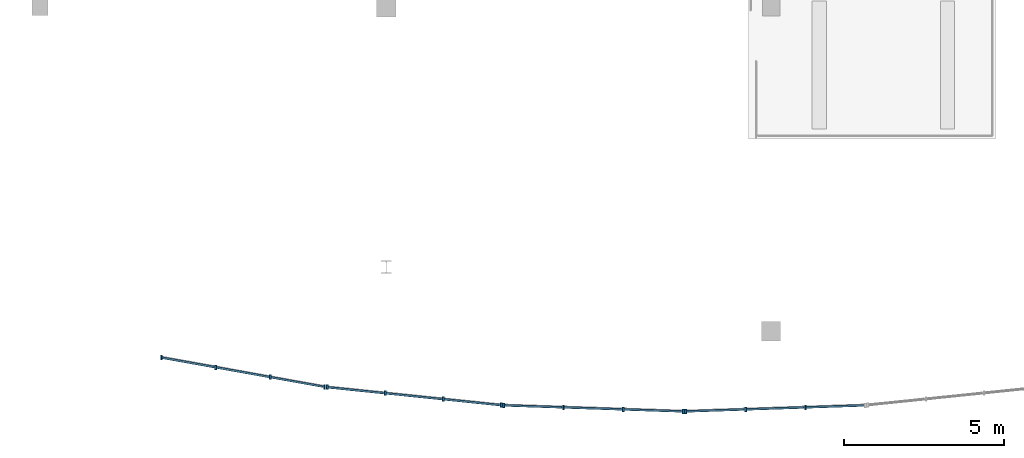
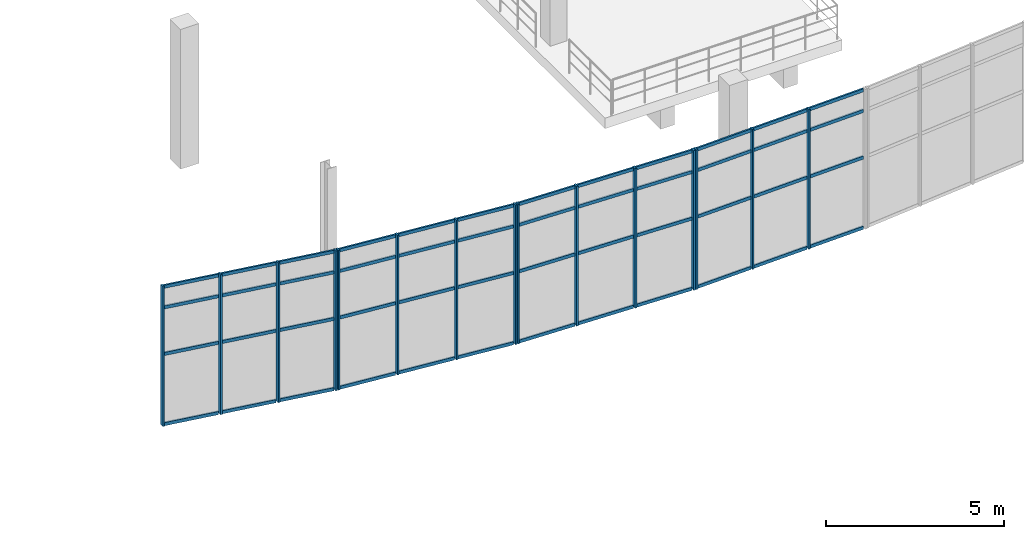
# One storey, part 18 of 52: 63 members, 4 elements without a shape of their own.
"""IFC4 building model written with IfcOpenShell, lengths in metres."""

from ifc_helpers import new_model, si_unit, direction, frame, origin, origin_2d, place, context, subcontext, project, spatial, rectangle, extrude, material, material_profile, profile_set, type_object, element, aggregate, save


model = new_model("IFC4")

# Units and contexts
model_context = context("Model", 3, precision=1e-05, world=origin(), true_north=direction((0.0, 1.0)))
body_context = subcontext(model_context, "Body", "Model", "MODEL_VIEW")
ifc_project = project(units=[si_unit("LENGTHUNIT", "METRE"), si_unit("AREAUNIT", "SQUARE_METRE"), si_unit("VOLUMEUNIT", "CUBIC_METRE"), si_unit("PLANEANGLEUNIT", "RADIAN"), si_unit("MASSUNIT", "GRAM", prefix="KILO"), si_unit("THERMODYNAMICTEMPERATUREUNIT", "KELVIN"), si_unit("POWERUNIT", "WATT")], contexts=[model_context])

# Site, building, storey
site_placement = place(None, origin())
site = spatial("IfcSite", under=ifc_project, at=site_placement, CompositionType="ELEMENT")
building_placement = place(site_placement, origin())
building = spatial("IfcBuilding", under=site, at=building_placement, Name="Solmara Park Aquatics Centre", CompositionType="ELEMENT")
storey_placement = place(building_placement, frame((0.0, 0.0, 9.60009765625)))
storey = spatial("IfcBuildingStorey", under=building, at=storey_placement, Name="L02", CompositionType="ELEMENT", Elevation=9.60009765625)

# Curtain wall, members
ifc_material_1 = material(Name="Anodised Aluminium Curtain Wall Framing", Category="aluminium")
curtain_wall_type = type_object("IfcCurtainWallType", Name="ARC-CW-SYS03", PredefinedType="USERDEFINED", material=ifc_material_1)
curtain_wall_1_placement = place(storey_placement, origin())
curtain_wall_1 = element("IfcCurtainWall", 1, at=curtain_wall_1_placement, inside=storey, type_object=curtain_wall_type, Name="Curtain Wall CW-039", ObjectType="CURTAIN WALL", PredefinedType="USERDEFINED")
ifc_material_2 = material(Name="Anodised Aluminium Alloy 6063-T6", Category="aluminium")
ifc_material_profile_1 = material_profile(ifc_material_2, rectangle(XDim=0.054931640625, YDim=0.139892578125, at=origin_2d()), Name="ALU MULLION 55x140")
ifc_profile_set_1 = profile_set([ifc_material_profile_1], Name="Anodised Aluminium Alloy 6063-T6")
member_type_1 = type_object("IfcMemberType", Name="ARC-CWM-55x140", PredefinedType="MULLION", material=ifc_profile_set_1)
member_1_placement = place(storey_placement, frame((112.989501953125, 1.680908203125, 0.0), z_axis=(0.0, 0.0, 1.0), x_axis=(1.0, 0.0, 0.0)))
member_1 = element("IfcMember", 2, at=member_1_placement, type_object=member_type_1, Name="CW-039 mullion 1", PredefinedType="MULLION", context=body_context, shape_type="SweptSolid", body=[
    extrude(rectangle(XDim=0.054931640625, YDim=0.139892578125, at=origin_2d()), origin(), (0.0, 0.0, 1.0), 4.7998046875),
])
member_2_placement = place(storey_placement, frame((114.68505859375, 1.376220703125, 0.0), z_axis=(0.0, 0.0, 1.0), x_axis=(1.0, 0.0, 0.0)))
member_2 = element("IfcMember", 3, at=member_2_placement, type_object=member_type_1, Name="CW-039 mullion 2", PredefinedType="MULLION", context=body_context, shape_type="SweptSolid", body=[
    extrude(rectangle(XDim=0.054931640625, YDim=0.139892578125, at=origin_2d()), origin(), (0.0, 0.0, 1.0), 4.7998046875),
])
member_3_placement = place(storey_placement, frame((116.380859375, 1.07177734375, 0.0), z_axis=(0.0, 0.0, 1.0), x_axis=(1.0, 0.0, 0.0)))
member_3 = element("IfcMember", 4, at=member_3_placement, type_object=member_type_1, Name="CW-039 mullion 3", PredefinedType="MULLION", context=body_context, shape_type="SweptSolid", body=[
    extrude(rectangle(XDim=0.054931640625, YDim=0.139892578125, at=origin_2d()), origin(), (0.0, 0.0, 1.0), 4.7998046875),
])
member_4_placement = place(storey_placement, frame((118.076416015625, 0.76708984375, 0.0), z_axis=(0.0, 0.0, 1.0), x_axis=(1.0, 0.0, 0.0)))
member_4 = element("IfcMember", 5, at=member_4_placement, type_object=member_type_1, Name="CW-039 mullion 4", PredefinedType="MULLION", context=body_context, shape_type="SweptSolid", body=[
    extrude(rectangle(XDim=0.054931640625, YDim=0.139892578125, at=origin_2d()), origin(), (0.0, 0.0, 1.0), 4.7998046875),
])

curtain_wall_2_placement = place(storey_placement, origin())
curtain_wall_2 = element("IfcCurtainWall", 6, at=curtain_wall_2_placement, inside=storey, type_object=curtain_wall_type, Name="Curtain Wall CW-042", ObjectType="CURTAIN WALL", PredefinedType="USERDEFINED")
member_5_placement = place(storey_placement, frame((118.15576171875, 0.755859375, 0.0), z_axis=(0.0, 0.0, 1.0), x_axis=(1.0, 0.0, 0.0)))
member_5 = element("IfcMember", 7, at=member_5_placement, type_object=member_type_1, Name="CW-042 mullion 1", PredefinedType="MULLION", context=body_context, shape_type="SweptSolid", body=[
    extrude(rectangle(XDim=0.054931640625, YDim=0.139892578125, at=origin_2d()), origin(), (0.0, 0.0, 1.0), 4.7998046875),
])
member_6_placement = place(storey_placement, frame((119.96435546875, 0.569091796875, 0.0), z_axis=(0.0, 0.0, 1.0), x_axis=(1.0, 0.0, 0.0)))
member_6 = element("IfcMember", 8, at=member_6_placement, type_object=member_type_1, Name="CW-042 mullion 2", PredefinedType="MULLION", context=body_context, shape_type="SweptSolid", body=[
    extrude(rectangle(XDim=0.054931640625, YDim=0.139892578125, at=origin_2d()), origin(), (0.0, 0.0, 1.0), 4.7998046875),
])
member_7_placement = place(storey_placement, frame((121.773193359375, 0.38232421875, 0.0), z_axis=(0.0, 0.0, 1.0), x_axis=(1.0, 0.0, 0.0)))
member_7 = element("IfcMember", 9, at=member_7_placement, type_object=member_type_1, Name="CW-042 mullion 3", PredefinedType="MULLION", context=body_context, shape_type="SweptSolid", body=[
    extrude(rectangle(XDim=0.054931640625, YDim=0.139892578125, at=origin_2d()), origin(), (0.0, 0.0, 1.0), 4.7998046875),
])
member_8_placement = place(storey_placement, frame((123.581787109375, 0.195556640625, 0.0), z_axis=(0.0, 0.0, 1.0), x_axis=(1.0, 0.0, 0.0)))
member_8 = element("IfcMember", 10, at=member_8_placement, type_object=member_type_1, Name="CW-042 mullion 4", PredefinedType="MULLION", context=body_context, shape_type="SweptSolid", body=[
    extrude(rectangle(XDim=0.054931640625, YDim=0.139892578125, at=origin_2d()), origin(), (0.0, 0.0, 1.0), 4.7998046875),
])

curtain_wall_3_placement = place(storey_placement, origin())
curtain_wall_3 = element("IfcCurtainWall", 11, at=curtain_wall_3_placement, inside=storey, type_object=curtain_wall_type, Name="Curtain Wall CW-045", ObjectType="CURTAIN WALL", PredefinedType="USERDEFINED")
member_9_placement = place(storey_placement, frame((123.66162109375, 0.190185546875, 0.0), z_axis=(0.0, 0.0, 1.0), x_axis=(1.0, 0.0, 0.0)))
member_9 = element("IfcMember", 12, at=member_9_placement, type_object=member_type_1, Name="CW-045 mullion 1", PredefinedType="MULLION", context=body_context, shape_type="SweptSolid", body=[
    extrude(rectangle(XDim=0.054931640625, YDim=0.139892578125, at=origin_2d()), origin(), (0.0, 0.0, 1.0), 4.7998046875),
])
member_10_placement = place(storey_placement, frame((125.52783203125, 0.127197265625, 0.0), z_axis=(0.0, 0.0, 1.0), x_axis=(1.0, 0.0, 0.0)))
member_10 = element("IfcMember", 13, at=member_10_placement, type_object=member_type_1, Name="CW-045 mullion 2", PredefinedType="MULLION", context=body_context, shape_type="SweptSolid", body=[
    extrude(rectangle(XDim=0.054931640625, YDim=0.139892578125, at=origin_2d()), origin(), (0.0, 0.0, 1.0), 4.7998046875),
])
member_11_placement = place(storey_placement, frame((127.393798828125, 0.064208984375, 0.0), z_axis=(0.0, 0.0, 1.0), x_axis=(1.0, 0.0, 0.0)))
member_11 = element("IfcMember", 14, at=member_11_placement, type_object=member_type_1, Name="CW-045 mullion 3", PredefinedType="MULLION", context=body_context, shape_type="SweptSolid", body=[
    extrude(rectangle(XDim=0.054931640625, YDim=0.139892578125, at=origin_2d()), origin(), (0.0, 0.0, 1.0), 4.7998046875),
])
member_12_placement = place(storey_placement, frame((129.260009765625, 0.001220703125, 0.0), z_axis=(0.0, 0.0, 1.0), x_axis=(1.0, 0.0, 0.0)))
member_12 = element("IfcMember", 15, at=member_12_placement, type_object=member_type_1, Name="CW-045 mullion 4", PredefinedType="MULLION", context=body_context, shape_type="SweptSolid", body=[
    extrude(rectangle(XDim=0.054931640625, YDim=0.139892578125, at=origin_2d()), origin(), (0.0, 0.0, 1.0), 4.7998046875),
])

curtain_wall_4_placement = place(storey_placement, origin())
curtain_wall_4 = element("IfcCurtainWall", 16, at=curtain_wall_4_placement, inside=storey, type_object=curtain_wall_type, Name="Curtain Wall CW-048", ObjectType="CURTAIN WALL", PredefinedType="USERDEFINED")
member_13_placement = place(storey_placement, frame((129.340087890625, 0.001220703125, 0.0), z_axis=(0.0, 0.0, 1.0), x_axis=(1.0, 0.0, 0.0)))
member_13 = element("IfcMember", 17, at=member_13_placement, type_object=member_type_1, Name="CW-048 mullion 1", PredefinedType="MULLION", context=body_context, shape_type="SweptSolid", body=[
    extrude(rectangle(XDim=0.054931640625, YDim=0.139892578125, at=origin_2d()), origin(), (0.0, 0.0, 1.0), 4.7998046875),
])
member_14_placement = place(storey_placement, frame((131.2060546875, 0.064208984375, 0.0), z_axis=(0.0, 0.0, 1.0), x_axis=(1.0, 0.0, 0.0)))
member_14 = element("IfcMember", 18, at=member_14_placement, type_object=member_type_1, Name="CW-048 mullion 2", PredefinedType="MULLION", context=body_context, shape_type="SweptSolid", body=[
    extrude(rectangle(XDim=0.054931640625, YDim=0.139892578125, at=origin_2d()), origin(), (0.0, 0.0, 1.0), 4.7998046875),
])
member_15_placement = place(storey_placement, frame((133.072265625, 0.127197265625, 0.0), z_axis=(0.0, 0.0, 1.0), x_axis=(1.0, 0.0, 0.0)))
member_15 = element("IfcMember", 19, at=member_15_placement, type_object=member_type_1, Name="CW-048 mullion 3", PredefinedType="MULLION", context=body_context, shape_type="SweptSolid", body=[
    extrude(rectangle(XDim=0.054931640625, YDim=0.139892578125, at=origin_2d()), origin(), (0.0, 0.0, 1.0), 4.7998046875),
])

# Member
ifc_material_profile_2 = material_profile(ifc_material_2, rectangle(XDim=0.054931640625, YDim=0.110107421875, at=origin_2d()), Name="ALU TRANSOM 55x110")
ifc_profile_set_2 = profile_set([ifc_material_profile_2], Name="Anodised Aluminium Alloy 6063-T6")
member_type_2 = type_object("IfcMemberType", Name="ARC-CWT-55x110", PredefinedType="USERDEFINED", material=ifc_profile_set_2)
member_16_placement = place(storey_placement, frame((113.009033203125, 1.677490234375, 0.039794921875), z_axis=(0.984238723522, -0.176844946549, 0.0), x_axis=(0.176844946549, 0.984238723522, 0.0)))
member_16 = element("IfcMember", 20, at=member_16_placement, type_object=member_type_2, Name="CW-039 transom 1", ObjectType="TRANSOM", PredefinedType="USERDEFINED", context=body_context, shape_type="SweptSolid", body=[
    extrude(rectangle(XDim=0.054931640625, YDim=0.110107421875, at=origin_2d()), origin(), (0.0, 0.0, 1.0), 1.642822265625),
])

member_17_placement = place(storey_placement, frame((113.009033203125, 1.677490234375, 2.449951171875), z_axis=(0.984238723522, -0.176844946549, 0.0), x_axis=(0.176844946549, 0.984238723522, 0.0)))
member_17 = element("IfcMember", 21, at=member_17_placement, type_object=member_type_2, Name="CW-039 transom 2", ObjectType="TRANSOM", PredefinedType="USERDEFINED", context=body_context, shape_type="SweptSolid", body=[
    extrude(rectangle(XDim=0.054931640625, YDim=0.110107421875, at=origin_2d()), origin(), (0.0, 0.0, 1.0), 1.642822265625),
])

member_18_placement = place(storey_placement, frame((113.009033203125, 1.677490234375, 4.0498046875), z_axis=(0.984238723522, -0.176844946549, 0.0), x_axis=(0.176844946549, 0.984238723522, 0.0)))
member_18 = element("IfcMember", 22, at=member_18_placement, type_object=member_type_2, Name="CW-039 transom 3", ObjectType="TRANSOM", PredefinedType="USERDEFINED", context=body_context, shape_type="SweptSolid", body=[
    extrude(rectangle(XDim=0.054931640625, YDim=0.110107421875, at=origin_2d()), origin(), (0.0, 0.0, 1.0), 1.642822265625),
])

member_19_placement = place(storey_placement, frame((113.009033203125, 1.677490234375, 4.760009765625), z_axis=(0.984238723522, -0.176844946549, 0.0), x_axis=(0.176844946549, 0.984238723522, 0.0)))
member_19 = element("IfcMember", 23, at=member_19_placement, type_object=member_type_2, Name="CW-039 transom 4", ObjectType="TRANSOM", PredefinedType="USERDEFINED", context=body_context, shape_type="SweptSolid", body=[
    extrude(rectangle(XDim=0.054931640625, YDim=0.110107421875, at=origin_2d()), origin(), (0.0, 0.0, 1.0), 1.642822265625),
])

member_20_placement = place(storey_placement, frame((114.704833984375, 1.372802734375, 0.039794921875), z_axis=(0.984238723522, -0.176844946549, 0.0), x_axis=(0.176844946549, 0.984238723522, 0.0)))
member_20 = element("IfcMember", 24, at=member_20_placement, type_object=member_type_2, Name="CW-039 transom 5", ObjectType="TRANSOM", PredefinedType="USERDEFINED", context=body_context, shape_type="SweptSolid", body=[
    extrude(rectangle(XDim=0.054931640625, YDim=0.110107421875, at=origin_2d()), origin(), (0.0, 0.0, 1.0), 1.642822265625),
])

member_21_placement = place(storey_placement, frame((114.704833984375, 1.372802734375, 2.449951171875), z_axis=(0.984238723522, -0.176844946549, 0.0), x_axis=(0.176844946549, 0.984238723522, 0.0)))
member_21 = element("IfcMember", 25, at=member_21_placement, type_object=member_type_2, Name="CW-039 transom 6", ObjectType="TRANSOM", PredefinedType="USERDEFINED", context=body_context, shape_type="SweptSolid", body=[
    extrude(rectangle(XDim=0.054931640625, YDim=0.110107421875, at=origin_2d()), origin(), (0.0, 0.0, 1.0), 1.642822265625),
])

member_22_placement = place(storey_placement, frame((114.704833984375, 1.372802734375, 4.0498046875), z_axis=(0.984238723522, -0.176844946549, 0.0), x_axis=(0.176844946549, 0.984238723522, 0.0)))
member_22 = element("IfcMember", 26, at=member_22_placement, type_object=member_type_2, Name="CW-039 transom 7", ObjectType="TRANSOM", PredefinedType="USERDEFINED", context=body_context, shape_type="SweptSolid", body=[
    extrude(rectangle(XDim=0.054931640625, YDim=0.110107421875, at=origin_2d()), origin(), (0.0, 0.0, 1.0), 1.642822265625),
])

member_23_placement = place(storey_placement, frame((114.704833984375, 1.372802734375, 4.760009765625), z_axis=(0.984238723522, -0.176844946549, 0.0), x_axis=(0.176844946549, 0.984238723522, 0.0)))
member_23 = element("IfcMember", 27, at=member_23_placement, type_object=member_type_2, Name="CW-039 transom 8", ObjectType="TRANSOM", PredefinedType="USERDEFINED", context=body_context, shape_type="SweptSolid", body=[
    extrude(rectangle(XDim=0.054931640625, YDim=0.110107421875, at=origin_2d()), origin(), (0.0, 0.0, 1.0), 1.642822265625),
])

member_24_placement = place(storey_placement, frame((116.400390625, 1.068115234375, 0.039794921875), z_axis=(0.984243370127, -0.176819083703, 0.0), x_axis=(0.176819083703, 0.984243370127, 0.0)))
member_24 = element("IfcMember", 28, at=member_24_placement, type_object=member_type_2, Name="CW-039 transom 9", ObjectType="TRANSOM", PredefinedType="USERDEFINED", context=body_context, shape_type="SweptSolid", body=[
    extrude(rectangle(XDim=0.054931640625, YDim=0.110107421875, at=origin_2d()), origin(), (0.0, 0.0, 1.0), 1.64306640625),
])

member_25_placement = place(storey_placement, frame((116.400390625, 1.068115234375, 2.449951171875), z_axis=(0.984243370127, -0.176819083703, 0.0), x_axis=(0.176819083703, 0.984243370127, 0.0)))
member_25 = element("IfcMember", 29, at=member_25_placement, type_object=member_type_2, Name="CW-039 transom 10", ObjectType="TRANSOM", PredefinedType="USERDEFINED", context=body_context, shape_type="SweptSolid", body=[
    extrude(rectangle(XDim=0.054931640625, YDim=0.110107421875, at=origin_2d()), origin(), (0.0, 0.0, 1.0), 1.64306640625),
])

member_26_placement = place(storey_placement, frame((116.400390625, 1.068115234375, 4.0498046875), z_axis=(0.984243370127, -0.176819083703, 0.0), x_axis=(0.176819083703, 0.984243370127, 0.0)))
member_26 = element("IfcMember", 30, at=member_26_placement, type_object=member_type_2, Name="CW-039 transom 11", ObjectType="TRANSOM", PredefinedType="USERDEFINED", context=body_context, shape_type="SweptSolid", body=[
    extrude(rectangle(XDim=0.054931640625, YDim=0.110107421875, at=origin_2d()), origin(), (0.0, 0.0, 1.0), 1.64306640625),
])

member_27_placement = place(storey_placement, frame((116.400390625, 1.068115234375, 4.760009765625), z_axis=(0.984243370127, -0.176819083703, 0.0), x_axis=(0.176819083703, 0.984243370127, 0.0)))
member_27 = element("IfcMember", 31, at=member_27_placement, type_object=member_type_2, Name="CW-039 transom 12", ObjectType="TRANSOM", PredefinedType="USERDEFINED", context=body_context, shape_type="SweptSolid", body=[
    extrude(rectangle(XDim=0.054931640625, YDim=0.110107421875, at=origin_2d()), origin(), (0.0, 0.0, 1.0), 1.64306640625),
])

aggregate(curtain_wall_1, [member_1, member_2, member_3, member_4, member_16, member_17, member_18, member_19, member_20, member_21, member_22, member_23, member_24, member_25, member_26, member_27])

member_28_placement = place(storey_placement, frame((118.175537109375, 0.753662109375, 0.039794921875), z_axis=(0.994716548008, -0.102659578793, 0.0), x_axis=(0.102659578793, 0.994716548008, 0.0)))
member_28 = element("IfcMember", 32, at=member_28_placement, type_object=member_type_2, Name="CW-042 transom 1", ObjectType="TRANSOM", PredefinedType="USERDEFINED", context=body_context, shape_type="SweptSolid", body=[
    extrude(rectangle(XDim=0.054931640625, YDim=0.110107421875, at=origin_2d()), origin(), (0.0, 0.0, 1.0), 1.738525390625),
])

member_29_placement = place(storey_placement, frame((118.175537109375, 0.753662109375, 2.449951171875), z_axis=(0.994716548008, -0.102659578793, 0.0), x_axis=(0.102659578793, 0.994716548008, 0.0)))
member_29 = element("IfcMember", 33, at=member_29_placement, type_object=member_type_2, Name="CW-042 transom 2", ObjectType="TRANSOM", PredefinedType="USERDEFINED", context=body_context, shape_type="SweptSolid", body=[
    extrude(rectangle(XDim=0.054931640625, YDim=0.110107421875, at=origin_2d()), origin(), (0.0, 0.0, 1.0), 1.738525390625),
])

member_30_placement = place(storey_placement, frame((118.175537109375, 0.753662109375, 4.0498046875), z_axis=(0.994716548008, -0.102659578793, 0.0), x_axis=(0.102659578793, 0.994716548008, 0.0)))
member_30 = element("IfcMember", 34, at=member_30_placement, type_object=member_type_2, Name="CW-042 transom 3", ObjectType="TRANSOM", PredefinedType="USERDEFINED", context=body_context, shape_type="SweptSolid", body=[
    extrude(rectangle(XDim=0.054931640625, YDim=0.110107421875, at=origin_2d()), origin(), (0.0, 0.0, 1.0), 1.738525390625),
])

member_31_placement = place(storey_placement, frame((118.175537109375, 0.753662109375, 4.760009765625), z_axis=(0.994716548008, -0.102659578793, 0.0), x_axis=(0.102659578793, 0.994716548008, 0.0)))
member_31 = element("IfcMember", 35, at=member_31_placement, type_object=member_type_2, Name="CW-042 transom 4", ObjectType="TRANSOM", PredefinedType="USERDEFINED", context=body_context, shape_type="SweptSolid", body=[
    extrude(rectangle(XDim=0.054931640625, YDim=0.110107421875, at=origin_2d()), origin(), (0.0, 0.0, 1.0), 1.738525390625),
])

member_32_placement = place(storey_placement, frame((119.984375, 0.56689453125, 0.039794921875), z_axis=(0.994715067632, -0.102673921836, 0.0), x_axis=(0.102673921836, 0.994715067632, 0.0)))
member_32 = element("IfcMember", 36, at=member_32_placement, type_object=member_type_2, Name="CW-042 transom 5", ObjectType="TRANSOM", PredefinedType="USERDEFINED", context=body_context, shape_type="SweptSolid", body=[
    extrude(rectangle(XDim=0.054931640625, YDim=0.110107421875, at=origin_2d()), origin(), (0.0, 0.0, 1.0), 1.73828125),
])

member_33_placement = place(storey_placement, frame((119.984375, 0.56689453125, 2.449951171875), z_axis=(0.994715067632, -0.102673921836, 0.0), x_axis=(0.102673921836, 0.994715067632, 0.0)))
member_33 = element("IfcMember", 37, at=member_33_placement, type_object=member_type_2, Name="CW-042 transom 6", ObjectType="TRANSOM", PredefinedType="USERDEFINED", context=body_context, shape_type="SweptSolid", body=[
    extrude(rectangle(XDim=0.054931640625, YDim=0.110107421875, at=origin_2d()), origin(), (0.0, 0.0, 1.0), 1.73828125),
])

member_34_placement = place(storey_placement, frame((119.984375, 0.56689453125, 4.0498046875), z_axis=(0.994715067632, -0.102673921836, 0.0), x_axis=(0.102673921836, 0.994715067632, 0.0)))
member_34 = element("IfcMember", 38, at=member_34_placement, type_object=member_type_2, Name="CW-042 transom 7", ObjectType="TRANSOM", PredefinedType="USERDEFINED", context=body_context, shape_type="SweptSolid", body=[
    extrude(rectangle(XDim=0.054931640625, YDim=0.110107421875, at=origin_2d()), origin(), (0.0, 0.0, 1.0), 1.73828125),
])

member_35_placement = place(storey_placement, frame((119.984375, 0.56689453125, 4.760009765625), z_axis=(0.994715067632, -0.102673921836, 0.0), x_axis=(0.102673921836, 0.994715067632, 0.0)))
member_35 = element("IfcMember", 39, at=member_35_placement, type_object=member_type_2, Name="CW-042 transom 8", ObjectType="TRANSOM", PredefinedType="USERDEFINED", context=body_context, shape_type="SweptSolid", body=[
    extrude(rectangle(XDim=0.054931640625, YDim=0.110107421875, at=origin_2d()), origin(), (0.0, 0.0, 1.0), 1.73828125),
])

member_36_placement = place(storey_placement, frame((121.793212890625, 0.380126953125, 0.039794921875), z_axis=(0.994715067632, -0.102673921836, 0.0), x_axis=(0.102673921836, 0.994715067632, 0.0)))
member_36 = element("IfcMember", 40, at=member_36_placement, type_object=member_type_2, Name="CW-042 transom 9", ObjectType="TRANSOM", PredefinedType="USERDEFINED", context=body_context, shape_type="SweptSolid", body=[
    extrude(rectangle(XDim=0.054931640625, YDim=0.110107421875, at=origin_2d()), origin(), (0.0, 0.0, 1.0), 1.73828125),
])

member_37_placement = place(storey_placement, frame((121.793212890625, 0.380126953125, 2.449951171875), z_axis=(0.994715067632, -0.102673921836, 0.0), x_axis=(0.102673921836, 0.994715067632, 0.0)))
member_37 = element("IfcMember", 41, at=member_37_placement, type_object=member_type_2, Name="CW-042 transom 10", ObjectType="TRANSOM", PredefinedType="USERDEFINED", context=body_context, shape_type="SweptSolid", body=[
    extrude(rectangle(XDim=0.054931640625, YDim=0.110107421875, at=origin_2d()), origin(), (0.0, 0.0, 1.0), 1.73828125),
])

member_38_placement = place(storey_placement, frame((121.793212890625, 0.380126953125, 4.0498046875), z_axis=(0.994715067632, -0.102673921836, 0.0), x_axis=(0.102673921836, 0.994715067632, 0.0)))
member_38 = element("IfcMember", 42, at=member_38_placement, type_object=member_type_2, Name="CW-042 transom 11", ObjectType="TRANSOM", PredefinedType="USERDEFINED", context=body_context, shape_type="SweptSolid", body=[
    extrude(rectangle(XDim=0.054931640625, YDim=0.110107421875, at=origin_2d()), origin(), (0.0, 0.0, 1.0), 1.73828125),
])

member_39_placement = place(storey_placement, frame((121.793212890625, 0.380126953125, 4.760009765625), z_axis=(0.994715067632, -0.102673921836, 0.0), x_axis=(0.102673921836, 0.994715067632, 0.0)))
member_39 = element("IfcMember", 43, at=member_39_placement, type_object=member_type_2, Name="CW-042 transom 12", ObjectType="TRANSOM", PredefinedType="USERDEFINED", context=body_context, shape_type="SweptSolid", body=[
    extrude(rectangle(XDim=0.054931640625, YDim=0.110107421875, at=origin_2d()), origin(), (0.0, 0.0, 1.0), 1.73828125),
])

aggregate(curtain_wall_2, [member_5, member_6, member_7, member_8, member_28, member_29, member_30, member_31, member_32, member_33, member_34, member_35, member_36, member_37, member_38, member_39])

member_40_placement = place(storey_placement, frame((123.681640625, 0.189453125, 0.039794921875), z_axis=(0.999430563319, -0.033742393267, 0.0), x_axis=(0.033742393267, 0.999430563319, 0.0)))
member_40 = element("IfcMember", 44, at=member_40_placement, type_object=member_type_2, Name="CW-045 transom 1", ObjectType="TRANSOM", PredefinedType="USERDEFINED", context=body_context, shape_type="SweptSolid", body=[
    extrude(rectangle(XDim=0.054931640625, YDim=0.110107421875, at=origin_2d()), origin(), (0.0, 0.0, 1.0), 1.787109375),
])

member_41_placement = place(storey_placement, frame((123.681640625, 0.189453125, 2.449951171875), z_axis=(0.999430563319, -0.033742393267, 0.0), x_axis=(0.033742393267, 0.999430563319, 0.0)))
member_41 = element("IfcMember", 45, at=member_41_placement, type_object=member_type_2, Name="CW-045 transom 2", ObjectType="TRANSOM", PredefinedType="USERDEFINED", context=body_context, shape_type="SweptSolid", body=[
    extrude(rectangle(XDim=0.054931640625, YDim=0.110107421875, at=origin_2d()), origin(), (0.0, 0.0, 1.0), 1.787109375),
])

member_42_placement = place(storey_placement, frame((123.681640625, 0.189453125, 4.0498046875), z_axis=(0.999430563319, -0.033742393267, 0.0), x_axis=(0.033742393267, 0.999430563319, 0.0)))
member_42 = element("IfcMember", 46, at=member_42_placement, type_object=member_type_2, Name="CW-045 transom 3", ObjectType="TRANSOM", PredefinedType="USERDEFINED", context=body_context, shape_type="SweptSolid", body=[
    extrude(rectangle(XDim=0.054931640625, YDim=0.110107421875, at=origin_2d()), origin(), (0.0, 0.0, 1.0), 1.787109375),
])

member_43_placement = place(storey_placement, frame((123.681640625, 0.189453125, 4.760009765625), z_axis=(0.999430563319, -0.033742393267, 0.0), x_axis=(0.033742393267, 0.999430563319, 0.0)))
member_43 = element("IfcMember", 47, at=member_43_placement, type_object=member_type_2, Name="CW-045 transom 4", ObjectType="TRANSOM", PredefinedType="USERDEFINED", context=body_context, shape_type="SweptSolid", body=[
    extrude(rectangle(XDim=0.054931640625, YDim=0.110107421875, at=origin_2d()), origin(), (0.0, 0.0, 1.0), 1.787109375),
])

member_44_placement = place(storey_placement, frame((125.5478515625, 0.12646484375, 0.039794921875), z_axis=(0.999435160911, -0.033605938981, 0.0), x_axis=(0.033605938981, 0.999435160911, 0.0)))
member_44 = element("IfcMember", 48, at=member_44_placement, type_object=member_type_2, Name="CW-045 transom 5", ObjectType="TRANSOM", PredefinedType="USERDEFINED", context=body_context, shape_type="SweptSolid", body=[
    extrude(rectangle(XDim=0.054931640625, YDim=0.110107421875, at=origin_2d()), origin(), (0.0, 0.0, 1.0), 1.787109375),
])

member_45_placement = place(storey_placement, frame((125.5478515625, 0.12646484375, 2.449951171875), z_axis=(0.999435160911, -0.033605938981, 0.0), x_axis=(0.033605938981, 0.999435160911, 0.0)))
member_45 = element("IfcMember", 49, at=member_45_placement, type_object=member_type_2, Name="CW-045 transom 6", ObjectType="TRANSOM", PredefinedType="USERDEFINED", context=body_context, shape_type="SweptSolid", body=[
    extrude(rectangle(XDim=0.054931640625, YDim=0.110107421875, at=origin_2d()), origin(), (0.0, 0.0, 1.0), 1.787109375),
])

member_46_placement = place(storey_placement, frame((125.5478515625, 0.12646484375, 4.0498046875), z_axis=(0.999435160911, -0.033605938981, 0.0), x_axis=(0.033605938981, 0.999435160911, 0.0)))
member_46 = element("IfcMember", 50, at=member_46_placement, type_object=member_type_2, Name="CW-045 transom 7", ObjectType="TRANSOM", PredefinedType="USERDEFINED", context=body_context, shape_type="SweptSolid", body=[
    extrude(rectangle(XDim=0.054931640625, YDim=0.110107421875, at=origin_2d()), origin(), (0.0, 0.0, 1.0), 1.787109375),
])

member_47_placement = place(storey_placement, frame((125.5478515625, 0.12646484375, 4.760009765625), z_axis=(0.999435160911, -0.033605938981, 0.0), x_axis=(0.033605938981, 0.999435160911, 0.0)))
member_47 = element("IfcMember", 51, at=member_47_placement, type_object=member_type_2, Name="CW-045 transom 8", ObjectType="TRANSOM", PredefinedType="USERDEFINED", context=body_context, shape_type="SweptSolid", body=[
    extrude(rectangle(XDim=0.054931640625, YDim=0.110107421875, at=origin_2d()), origin(), (0.0, 0.0, 1.0), 1.787109375),
])

member_48_placement = place(storey_placement, frame((127.413818359375, 0.063720703125, 0.039794921875), z_axis=(0.999430718823, -0.03373778701, 0.0), x_axis=(0.03373778701, 0.999430718823, 0.0)))
member_48 = element("IfcMember", 52, at=member_48_placement, type_object=member_type_2, Name="CW-045 transom 9", ObjectType="TRANSOM", PredefinedType="USERDEFINED", context=body_context, shape_type="SweptSolid", body=[
    extrude(rectangle(XDim=0.054931640625, YDim=0.110107421875, at=origin_2d()), origin(), (0.0, 0.0, 1.0), 1.787353515625),
])

member_49_placement = place(storey_placement, frame((127.413818359375, 0.063720703125, 2.449951171875), z_axis=(0.999430718823, -0.03373778701, 0.0), x_axis=(0.03373778701, 0.999430718823, 0.0)))
member_49 = element("IfcMember", 53, at=member_49_placement, type_object=member_type_2, Name="CW-045 transom 10", ObjectType="TRANSOM", PredefinedType="USERDEFINED", context=body_context, shape_type="SweptSolid", body=[
    extrude(rectangle(XDim=0.054931640625, YDim=0.110107421875, at=origin_2d()), origin(), (0.0, 0.0, 1.0), 1.787353515625),
])

member_50_placement = place(storey_placement, frame((127.413818359375, 0.063720703125, 4.0498046875), z_axis=(0.999430718823, -0.03373778701, 0.0), x_axis=(0.03373778701, 0.999430718823, 0.0)))
member_50 = element("IfcMember", 54, at=member_50_placement, type_object=member_type_2, Name="CW-045 transom 11", ObjectType="TRANSOM", PredefinedType="USERDEFINED", context=body_context, shape_type="SweptSolid", body=[
    extrude(rectangle(XDim=0.054931640625, YDim=0.110107421875, at=origin_2d()), origin(), (0.0, 0.0, 1.0), 1.787353515625),
])

member_51_placement = place(storey_placement, frame((127.413818359375, 0.063720703125, 4.760009765625), z_axis=(0.999430718823, -0.03373778701, 0.0), x_axis=(0.03373778701, 0.999430718823, 0.0)))
member_51 = element("IfcMember", 55, at=member_51_placement, type_object=member_type_2, Name="CW-045 transom 12", ObjectType="TRANSOM", PredefinedType="USERDEFINED", context=body_context, shape_type="SweptSolid", body=[
    extrude(rectangle(XDim=0.054931640625, YDim=0.110107421875, at=origin_2d()), origin(), (0.0, 0.0, 1.0), 1.787353515625),
])

aggregate(curtain_wall_3, [member_9, member_10, member_11, member_12, member_40, member_41, member_42, member_43, member_44, member_45, member_46, member_47, member_48, member_49, member_50, member_51])

member_52_placement = place(storey_placement, frame((129.360107421875, 0.001953125, 0.039794921875), z_axis=(0.999430407751, 0.033747000781, 0.0), x_axis=(-0.033747000781, 0.999430407751, 0.0)))
member_52 = element("IfcMember", 56, at=member_52_placement, type_object=member_type_2, Name="CW-048 transom 1", ObjectType="TRANSOM", PredefinedType="USERDEFINED", context=body_context, shape_type="SweptSolid", body=[
    extrude(rectangle(XDim=0.054931640625, YDim=0.110107421875, at=origin_2d()), origin(), (0.0, 0.0, 1.0), 1.786865234375),
])

member_53_placement = place(storey_placement, frame((129.360107421875, 0.001953125, 2.449951171875), z_axis=(0.999430407751, 0.033747000781, 0.0), x_axis=(-0.033747000781, 0.999430407751, 0.0)))
member_53 = element("IfcMember", 57, at=member_53_placement, type_object=member_type_2, Name="CW-048 transom 2", ObjectType="TRANSOM", PredefinedType="USERDEFINED", context=body_context, shape_type="SweptSolid", body=[
    extrude(rectangle(XDim=0.054931640625, YDim=0.110107421875, at=origin_2d()), origin(), (0.0, 0.0, 1.0), 1.786865234375),
])

member_54_placement = place(storey_placement, frame((129.360107421875, 0.001953125, 4.0498046875), z_axis=(0.999430407751, 0.033747000781, 0.0), x_axis=(-0.033747000781, 0.999430407751, 0.0)))
member_54 = element("IfcMember", 58, at=member_54_placement, type_object=member_type_2, Name="CW-048 transom 3", ObjectType="TRANSOM", PredefinedType="USERDEFINED", context=body_context, shape_type="SweptSolid", body=[
    extrude(rectangle(XDim=0.054931640625, YDim=0.110107421875, at=origin_2d()), origin(), (0.0, 0.0, 1.0), 1.786865234375),
])

member_55_placement = place(storey_placement, frame((129.360107421875, 0.001953125, 4.760009765625), z_axis=(0.999430407751, 0.033747000781, 0.0), x_axis=(-0.033747000781, 0.999430407751, 0.0)))
member_55 = element("IfcMember", 59, at=member_55_placement, type_object=member_type_2, Name="CW-048 transom 4", ObjectType="TRANSOM", PredefinedType="USERDEFINED", context=body_context, shape_type="SweptSolid", body=[
    extrude(rectangle(XDim=0.054931640625, YDim=0.110107421875, at=origin_2d()), origin(), (0.0, 0.0, 1.0), 1.786865234375),
])

member_56_placement = place(storey_placement, frame((131.22607421875, 0.06494140625, 0.039794921875), z_axis=(0.999435160911, 0.033605938981, 0.0), x_axis=(-0.033605938981, 0.999435160911, 0.0)))
member_56 = element("IfcMember", 60, at=member_56_placement, type_object=member_type_2, Name="CW-048 transom 5", ObjectType="TRANSOM", PredefinedType="USERDEFINED", context=body_context, shape_type="SweptSolid", body=[
    extrude(rectangle(XDim=0.054931640625, YDim=0.110107421875, at=origin_2d()), origin(), (0.0, 0.0, 1.0), 1.787109375),
])

member_57_placement = place(storey_placement, frame((131.22607421875, 0.06494140625, 2.449951171875), z_axis=(0.999435160911, 0.033605938981, 0.0), x_axis=(-0.033605938981, 0.999435160911, 0.0)))
member_57 = element("IfcMember", 61, at=member_57_placement, type_object=member_type_2, Name="CW-048 transom 6", ObjectType="TRANSOM", PredefinedType="USERDEFINED", context=body_context, shape_type="SweptSolid", body=[
    extrude(rectangle(XDim=0.054931640625, YDim=0.110107421875, at=origin_2d()), origin(), (0.0, 0.0, 1.0), 1.787109375),
])

member_58_placement = place(storey_placement, frame((131.22607421875, 0.06494140625, 4.0498046875), z_axis=(0.999435160911, 0.033605938981, 0.0), x_axis=(-0.033605938981, 0.999435160911, 0.0)))
member_58 = element("IfcMember", 62, at=member_58_placement, type_object=member_type_2, Name="CW-048 transom 7", ObjectType="TRANSOM", PredefinedType="USERDEFINED", context=body_context, shape_type="SweptSolid", body=[
    extrude(rectangle(XDim=0.054931640625, YDim=0.110107421875, at=origin_2d()), origin(), (0.0, 0.0, 1.0), 1.787109375),
])

member_59_placement = place(storey_placement, frame((131.22607421875, 0.06494140625, 4.760009765625), z_axis=(0.999435160911, 0.033605938981, 0.0), x_axis=(-0.033605938981, 0.999435160911, 0.0)))
member_59 = element("IfcMember", 63, at=member_59_placement, type_object=member_type_2, Name="CW-048 transom 8", ObjectType="TRANSOM", PredefinedType="USERDEFINED", context=body_context, shape_type="SweptSolid", body=[
    extrude(rectangle(XDim=0.054931640625, YDim=0.110107421875, at=origin_2d()), origin(), (0.0, 0.0, 1.0), 1.787109375),
])

member_60_placement = place(storey_placement, frame((133.09228515625, 0.127685546875, 0.039794921875), z_axis=(0.999430563319, 0.033742393267, 0.0), x_axis=(-0.033742393267, 0.999430563319, 0.0)))
member_60 = element("IfcMember", 64, at=member_60_placement, type_object=member_type_2, Name="CW-048 transom 9", ObjectType="TRANSOM", PredefinedType="USERDEFINED", context=body_context, shape_type="SweptSolid", body=[
    extrude(rectangle(XDim=0.054931640625, YDim=0.110107421875, at=origin_2d()), origin(), (0.0, 0.0, 1.0), 1.787109375),
])

member_61_placement = place(storey_placement, frame((133.09228515625, 0.127685546875, 2.449951171875), z_axis=(0.999430563319, 0.033742393267, 0.0), x_axis=(-0.033742393267, 0.999430563319, 0.0)))
member_61 = element("IfcMember", 65, at=member_61_placement, type_object=member_type_2, Name="CW-048 transom 10", ObjectType="TRANSOM", PredefinedType="USERDEFINED", context=body_context, shape_type="SweptSolid", body=[
    extrude(rectangle(XDim=0.054931640625, YDim=0.110107421875, at=origin_2d()), origin(), (0.0, 0.0, 1.0), 1.787109375),
])

member_62_placement = place(storey_placement, frame((133.09228515625, 0.127685546875, 4.0498046875), z_axis=(0.999430563319, 0.033742393267, 0.0), x_axis=(-0.033742393267, 0.999430563319, 0.0)))
member_62 = element("IfcMember", 66, at=member_62_placement, type_object=member_type_2, Name="CW-048 transom 11", ObjectType="TRANSOM", PredefinedType="USERDEFINED", context=body_context, shape_type="SweptSolid", body=[
    extrude(rectangle(XDim=0.054931640625, YDim=0.110107421875, at=origin_2d()), origin(), (0.0, 0.0, 1.0), 1.787109375),
])

member_63_placement = place(storey_placement, frame((133.09228515625, 0.127685546875, 4.760009765625), z_axis=(0.999430563319, 0.033742393267, 0.0), x_axis=(-0.033742393267, 0.999430563319, 0.0)))
member_63 = element("IfcMember", 67, at=member_63_placement, type_object=member_type_2, Name="CW-048 transom 12", ObjectType="TRANSOM", PredefinedType="USERDEFINED", context=body_context, shape_type="SweptSolid", body=[
    extrude(rectangle(XDim=0.054931640625, YDim=0.110107421875, at=origin_2d()), origin(), (0.0, 0.0, 1.0), 1.787109375),
])

aggregate(curtain_wall_4, [member_13, member_14, member_15, member_52, member_53, member_54, member_55, member_56, member_57, member_58, member_59, member_60, member_61, member_62, member_63])

save(model, "model.ifc")
